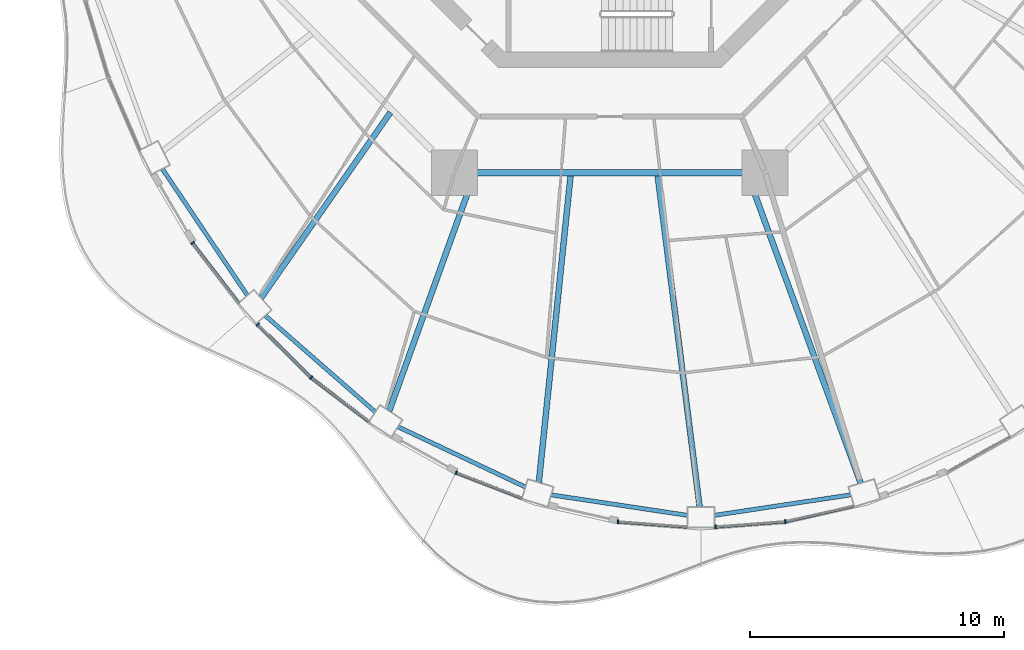
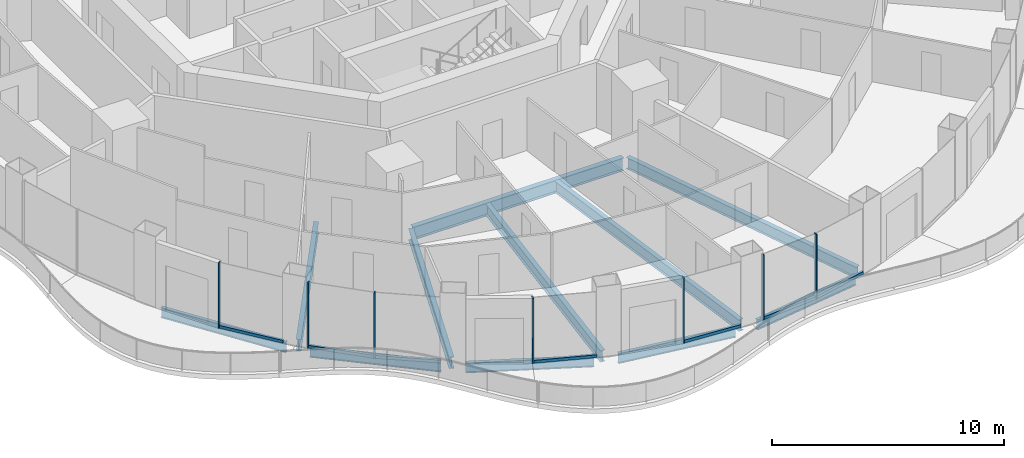
# One storey, part 2 of 19: 14 members, 11 beams, 7 elements without a shape of their own.
"""IFC4 building model written with IfcOpenShell, lengths in metres."""

from ifc_helpers import new_model, si_unit, direction, frame, origin, origin_2d, place, context, subcontext, project, spatial, rectangle, i_section, extrude, material, layer, layer_set, material_profile, profile_set, type_object, element, aggregate, save


model = new_model("IFC4")

# Units and contexts
model_context = context("Model", 3, precision=1e-05, world=origin(), true_north=direction((0.0, 1.0)))
body_context = subcontext(model_context, "Body", "Model", "MODEL_VIEW")
ifc_project = project(units=[si_unit("LENGTHUNIT", "METRE"), si_unit("AREAUNIT", "SQUARE_METRE"), si_unit("VOLUMEUNIT", "CUBIC_METRE"), si_unit("PLANEANGLEUNIT", "RADIAN"), si_unit("MASSUNIT", "GRAM", prefix="KILO")], contexts=[model_context])

# Site, building, storey
site_placement = place(None, origin())
site = spatial("IfcSite", under=ifc_project, at=site_placement, CompositionType="ELEMENT")
building_placement = place(site_placement, origin())
building = spatial("IfcBuilding", under=site, at=building_placement, Name="Nagisa Residences", CompositionType="ELEMENT")
storey_placement = place(building_placement, frame((0.0, 0.0, 191.800048828125)))
storey = spatial("IfcBuildingStorey", under=building, at=storey_placement, Name="L48", CompositionType="ELEMENT", Elevation=191.800048828125)

# Curtain wall, member
ifc_material_1 = material(Name="Concrete-coloured aluminium curtain wall system", Category="concrete")
ifc_layer = layer(ifc_material_1, 0.159912109375)
ifc_layer_set = layer_set([ifc_layer], Name="CW1 CURTAIN WALL")
curtain_wall_type = type_object("IfcCurtainWallType", Name="CW1 CURTAIN WALL", PredefinedType="NOTDEFINED", material=ifc_layer_set)
curtain_wall_1_placement = place(storey_placement, origin())
curtain_wall_1 = element("IfcCurtainWall", 1, at=curtain_wall_1_placement, inside=storey, type_object=curtain_wall_type, Name="cw:CW1:L48:29", PredefinedType="NOTDEFINED")
ifc_material_2 = material(Name="Concrete-coloured aluminium", Category="concrete")
ifc_material_profile_1 = material_profile(ifc_material_2, rectangle(XDim=0.159912109375, YDim=0.06005859375, at=origin_2d()), Name="CW1 MULLION 160x60")
ifc_profile_set_1 = profile_set([ifc_material_profile_1], Name="Concrete-coloured aluminium")
member_type_1 = type_object("IfcMemberType", Name="CW1 MULLION 160x60", PredefinedType="MULLION", material=ifc_profile_set_1)
member_1_placement = place(storey_placement, frame((-16.44970703125, -17.552978515625, 0.0), z_axis=(0.0, 0.0, 1.0), x_axis=(0.792070340816, 0.610429828235, 0.0)))
member_1 = element("IfcMember", 2, at=member_1_placement, type_object=member_type_1, Name="CW1 mullion", PredefinedType="MULLION", context=body_context, shape_type="SweptSolid", body=[
    extrude(rectangle(XDim=0.159912109375, YDim=0.06005859375, at=origin_2d()), origin(), (0.0, 0.0, 1.0), 3.43994140625),
])

curtain_wall_2_placement = place(storey_placement, origin())
curtain_wall_2 = element("IfcCurtainWall", 3, at=curtain_wall_2_placement, inside=storey, type_object=curtain_wall_type, Name="cw:CW1:L48:30", PredefinedType="NOTDEFINED")
member_2_placement = place(storey_placement, frame((-13.875732421875, -20.770751953125, 0.0), z_axis=(0.0, 0.0, 1.0), x_axis=(0.706376885714, 0.707835924016, 0.0)))
member_2 = element("IfcMember", 4, at=member_2_placement, type_object=member_type_1, Name="CW1 mullion", PredefinedType="MULLION", context=body_context, shape_type="SweptSolid", body=[
    extrude(rectangle(XDim=0.159912109375, YDim=0.06005859375, at=origin_2d()), origin(), (0.0, 0.0, 1.0), 3.43994140625),
])

curtain_wall_3_placement = place(storey_placement, origin())
curtain_wall_3 = element("IfcCurtainWall", 5, at=curtain_wall_3_placement, inside=storey, type_object=curtain_wall_type, Name="cw:CW1:L48:31", PredefinedType="NOTDEFINED")
member_3_placement = place(storey_placement, frame((-11.77490234375, -22.862548828125, 0.0), z_axis=(0.0, 0.0, 1.0), x_axis=(0.605255421737, 0.79603132756, 0.0)))
member_3 = element("IfcMember", 6, at=member_3_placement, type_object=member_type_1, Name="CW1 mullion", PredefinedType="MULLION", context=body_context, shape_type="SweptSolid", body=[
    extrude(rectangle(XDim=0.159912109375, YDim=0.06005859375, at=origin_2d()), origin(), (0.0, 0.0, 1.0), 3.43994140625),
])

curtain_wall_4_placement = place(storey_placement, origin())
curtain_wall_4 = element("IfcCurtainWall", 7, at=curtain_wall_4_placement, inside=storey, type_object=curtain_wall_type, Name="cw:CW1:L48:33", PredefinedType="NOTDEFINED")
member_4_placement = place(storey_placement, frame((-6.0537109375, -26.61328125, 0.0), z_axis=(0.0, 0.0, 1.0), x_axis=(0.360327770268, 0.932825759707, 0.0)))
member_4 = element("IfcMember", 8, at=member_4_placement, type_object=member_type_1, Name="CW1 mullion", PredefinedType="MULLION", context=body_context, shape_type="SweptSolid", body=[
    extrude(rectangle(XDim=0.159912109375, YDim=0.06005859375, at=origin_2d()), origin(), (0.0, 0.0, 1.0), 3.43994140625),
])

curtain_wall_5_placement = place(storey_placement, origin())
curtain_wall_5 = element("IfcCurtainWall", 9, at=curtain_wall_5_placement, inside=storey, type_object=curtain_wall_type, Name="cw:CW1:L48:35", PredefinedType="NOTDEFINED")
member_5_placement = place(storey_placement, frame((0.32373046875, -28.550537109375, 0.0), z_axis=(0.0, 0.0, 1.0), x_axis=(0.074377355493, 0.997230168512, 0.0)))
member_5 = element("IfcMember", 10, at=member_5_placement, type_object=member_type_1, Name="CW1 mullion", PredefinedType="MULLION", context=body_context, shape_type="SweptSolid", body=[
    extrude(rectangle(XDim=0.159912109375, YDim=0.06005859375, at=origin_2d()), origin(), (0.0, 0.0, 1.0), 3.43994140625),
])

curtain_wall_6_placement = place(storey_placement, origin())
curtain_wall_6 = element("IfcCurtainWall", 11, at=curtain_wall_6_placement, inside=storey, type_object=curtain_wall_type, Name="cw:CW1:L48:36", PredefinedType="NOTDEFINED")
member_6_placement = place(storey_placement, frame((4.17236328125, -28.752197265625, 0.0), z_axis=(0.0, 0.0, 1.0), x_axis=(-0.074377355493, 0.997230168512, 0.0)))
member_6 = element("IfcMember", 12, at=member_6_placement, type_object=member_type_1, Name="CW1 mullion", PredefinedType="MULLION", context=body_context, shape_type="SweptSolid", body=[
    extrude(rectangle(XDim=0.159912109375, YDim=0.06005859375, at=origin_2d()), origin(), (0.0, 0.0, 1.0), 3.43994140625),
])

curtain_wall_7_placement = place(storey_placement, origin())
curtain_wall_7 = element("IfcCurtainWall", 13, at=curtain_wall_7_placement, inside=storey, type_object=curtain_wall_type, Name="cw:CW1:L48:37", PredefinedType="NOTDEFINED")
member_7_placement = place(storey_placement, frame((6.923583984375, -28.543212890625, 0.0), z_axis=(0.0, 0.0, 1.0), x_axis=(-0.2207639201, 0.975327274089, 0.0)))
member_7 = element("IfcMember", 14, at=member_7_placement, type_object=member_type_1, Name="CW1 mullion", PredefinedType="MULLION", context=body_context, shape_type="SweptSolid", body=[
    extrude(rectangle(XDim=0.159912109375, YDim=0.06005859375, at=origin_2d()), origin(), (0.0, 0.0, 1.0), 3.43994140625),
])

# Member
ifc_material_3 = material(Name="Concrete-coloured aluminium", Category="concrete")
ifc_material_profile_2 = material_profile(ifc_material_3, rectangle(XDim=0.1201171875, YDim=0.14990234375, at=origin_2d()), Name="CW1 TRANSOM 120x150")
ifc_profile_set_2 = profile_set([ifc_material_profile_2], Name="Concrete-coloured aluminium")
member_type_2 = type_object("IfcMemberType", Name="CW1 TRANSOM 120x150", PredefinedType="USERDEFINED", material=ifc_profile_set_2)
member_8_placement = place(storey_placement, frame((-16.468017578125, -17.529052734375, 0.074951171875), z_axis=(0.610398538814, -0.792094453846, 0.0), x_axis=(0.792094453846, 0.610398538814, 0.0)))
member_8 = element("IfcMember", 15, at=member_8_placement, type_object=member_type_2, Name="CW1 transom", ObjectType="TRANSOM", PredefinedType="USERDEFINED", context=body_context, shape_type="SweptSolid", body=[
    extrude(rectangle(XDim=0.1201171875, YDim=0.14990234375, at=origin_2d()), origin(), (0.0, 0.0, 1.0), 3.035400390625),
])

aggregate(curtain_wall_1, [member_1, member_8])

member_9_placement = place(storey_placement, frame((-13.89697265625, -20.74951171875, 0.074951171875), z_axis=(0.707803821372, -0.706409053206, 0.0), x_axis=(0.706409053206, 0.707803821372, 0.0)))
member_9 = element("IfcMember", 16, at=member_9_placement, type_object=member_type_2, Name="CW1 transom", ObjectType="TRANSOM", PredefinedType="USERDEFINED", context=body_context, shape_type="SweptSolid", body=[
    extrude(rectangle(XDim=0.1201171875, YDim=0.14990234375, at=origin_2d()), origin(), (0.0, 0.0, 1.0), 2.9755859375),
])

aggregate(curtain_wall_2, [member_2, member_9])

member_10_placement = place(storey_placement, frame((-11.798828125, -22.844482421875, 0.074951171875), z_axis=(0.796055733703, -0.60522332146, 0.0), x_axis=(0.60522332146, 0.796055733703, 0.0)))
member_10 = element("IfcMember", 17, at=member_10_placement, type_object=member_type_2, Name="CW1 transom", ObjectType="TRANSOM", PredefinedType="USERDEFINED", context=body_context, shape_type="SweptSolid", body=[
    extrude(rectangle(XDim=0.1201171875, YDim=0.14990234375, at=origin_2d()), origin(), (0.0, 0.0, 1.0), 2.9169921875),
])

aggregate(curtain_wall_3, [member_3, member_10])

member_11_placement = place(storey_placement, frame((-6.081787109375, -26.602294921875, 0.074951171875), z_axis=(0.932806734513, -0.360377019311, 0.0), x_axis=(0.360377019311, 0.932806734513, 0.0)))
member_11 = element("IfcMember", 18, at=member_11_placement, type_object=member_type_2, Name="CW1 transom", ObjectType="TRANSOM", PredefinedType="USERDEFINED", context=body_context, shape_type="SweptSolid", body=[
    extrude(rectangle(XDim=0.1201171875, YDim=0.14990234375, at=origin_2d()), origin(), (0.0, 0.0, 1.0), 2.819580078125),
])

aggregate(curtain_wall_4, [member_4, member_11])

member_12_placement = place(storey_placement, frame((0.2939453125, -28.548095703125, 0.074951171875), z_axis=(0.99722504052, -0.074446078208, 0.0), x_axis=(0.074446078208, 0.99722504052, 0.0)))
member_12 = element("IfcMember", 19, at=member_12_placement, type_object=member_type_2, Name="CW1 transom", ObjectType="TRANSOM", PredefinedType="USERDEFINED", context=body_context, shape_type="SweptSolid", body=[
    extrude(rectangle(XDim=0.1201171875, YDim=0.14990234375, at=origin_2d()), origin(), (0.0, 0.0, 1.0), 2.77099609375),
])

aggregate(curtain_wall_5, [member_5, member_12])

member_13_placement = place(storey_placement, frame((4.142578125, -28.75439453125, 0.074951171875), z_axis=(0.997225528735, 0.074439538143, 0.0), x_axis=(-0.074439538143, 0.997225528735, 0.0)))
member_13 = element("IfcMember", 20, at=member_13_placement, type_object=member_type_2, Name="CW1 transom", ObjectType="TRANSOM", PredefinedType="USERDEFINED", context=body_context, shape_type="SweptSolid", body=[
    extrude(rectangle(XDim=0.1201171875, YDim=0.14990234375, at=origin_2d()), origin(), (0.0, 0.0, 1.0), 2.771240234375),
])

aggregate(curtain_wall_6, [member_6, member_13])

member_14_placement = place(storey_placement, frame((6.89453125, -28.550048828125, 0.074951171875), z_axis=(0.975324329911, 0.220776926974, 0.0), x_axis=(-0.220776926974, 0.975324329911, 0.0)))
member_14 = element("IfcMember", 21, at=member_14_placement, type_object=member_type_2, Name="CW1 transom", ObjectType="TRANSOM", PredefinedType="USERDEFINED", context=body_context, shape_type="SweptSolid", body=[
    extrude(rectangle(XDim=0.1201171875, YDim=0.14990234375, at=origin_2d()), origin(), (0.0, 0.0, 1.0), 2.787841796875),
])

aggregate(curtain_wall_7, [member_7, member_14])

# Beams
ifc_material_4 = material(Name="Steel ASTM A572 Gr 50", Category="steel")
ifc_material_profile_3 = material_profile(ifc_material_4, i_section(OverallWidth=0.25390625, OverallDepth=0.68408203125, WebThickness=0.012451171875, FlangeThickness=0.018798828125, at=origin_2d()), Name="W690x140")
ifc_profile_set_3 = profile_set([ifc_material_profile_3], Name="Steel ASTM A572 Gr 50")
beam_type_1 = type_object("IfcBeamType", Name="Inner ring beam W690x140", PredefinedType="BEAM", material=ifc_profile_set_3)
beam_1_placement = place(storey_placement, frame((-5.242919921875, -14.781982421875, -0.60205078125), z_axis=(1.0, 0.0, 0.0), x_axis=(0.0, 1.0, 0.0)))
element("IfcBeam", 22, at=beam_1_placement, inside=storey, type_object=beam_type_1, Name="beam:L48:ib6", PredefinedType="BEAM", context=body_context, shape_type="SweptSolid", body=[
    extrude(i_section(OverallWidth=0.25390625, OverallDepth=0.68408203125, WebThickness=0.012451171875, FlangeThickness=0.018798828125, at=origin_2d()), origin(), (0.0, 0.0, 1.0), 10.48583984375),
])
ifc_material_5 = material(Name="Steel ASTM A572 Gr 50", Category="steel")
ifc_material_profile_4 = material_profile(ifc_material_5, i_section(OverallWidth=0.166015625, OverallDepth=0.534912109375, WebThickness=0.01025390625, FlangeThickness=0.0166015625, at=origin_2d()), Name="W530x85")
ifc_profile_set_4 = profile_set([ifc_material_profile_4], Name="Steel ASTM A572 Gr 50")
beam_type_2 = type_object("IfcBeamType", Name="Perimeter ring beam W530x85", PredefinedType="BEAM", material=ifc_profile_set_4)
beam_2_placement = place(storey_placement, frame((-17.644287109375, -14.630615234375, -0.527587890625), z_axis=(0.558152301307, -0.829738518177, 0.0), x_axis=(0.829738518177, 0.558152301307, 0.0)))
element("IfcBeam", 23, at=beam_2_placement, inside=storey, type_object=beam_type_2, Name="beam:L48:pb15", PredefinedType="BEAM", context=body_context, shape_type="SweptSolid", body=[
    extrude(i_section(OverallWidth=0.166015625, OverallDepth=0.534912109375, WebThickness=0.01025390625, FlangeThickness=0.0166015625, at=origin_2d()), origin(), (0.0, 0.0, 1.0), 6.013916015625),
])
beam_3_placement = place(storey_placement, frame((-13.5869140625, -20.416259765625, -0.527587890625), z_axis=(0.752461486776, -0.658636250838, 0.0), x_axis=(0.658636250838, 0.752461486776, 0.0)))
element("IfcBeam", 24, at=beam_3_placement, inside=storey, type_object=beam_type_2, Name="beam:L48:pb16", PredefinedType="BEAM", context=body_context, shape_type="SweptSolid", body=[
    extrude(i_section(OverallWidth=0.166015625, OverallDepth=0.534912109375, WebThickness=0.01025390625, FlangeThickness=0.0166015625, at=origin_2d()), origin(), (0.0, 0.0, 1.0), 5.776611328125),
])
beam_4_placement = place(storey_placement, frame((-8.353515625, -24.80224609375, -0.527587890625), z_axis=(0.904157325884, -0.427199637232, 0.0), x_axis=(0.427199637232, 0.904157325884, 0.0)))
element("IfcBeam", 25, at=beam_4_placement, inside=storey, type_object=beam_type_2, Name="beam:L48:pb17", PredefinedType="BEAM", context=body_context, shape_type="SweptSolid", body=[
    extrude(i_section(OverallWidth=0.166015625, OverallDepth=0.534912109375, WebThickness=0.01025390625, FlangeThickness=0.0166015625, at=origin_2d()), origin(), (0.0, 0.0, 1.0), 5.56396484375),
])
for number, where, z_axis, x_axis, name in (
    (26, (-2.30810546875, -27.48779296875, -0.527587890625), (0.988911312658, -0.148507291732, 0.0), (0.148507291732, 0.988911312658, 0.0), "beam:L48:pb18"),
    (27, (4.130126953125, -28.29541015625, -0.527587890625), (0.988911312658, 0.148507291732, 0.0), (-0.148507291732, 0.988911312658, 0.0), "beam:L48:pb19"),
):
    element("IfcBeam", number, at=place(storey_placement, frame(where, z_axis=z_axis, x_axis=x_axis)), inside=storey, type_object=beam_type_2, Name=name, PredefinedType="BEAM", context=body_context, shape_type="SweptSolid", body=[
        extrude(i_section(OverallWidth=0.166015625, OverallDepth=0.534912109375, WebThickness=0.01025390625, FlangeThickness=0.0166015625, at=origin_2d()), origin(), (0.0, 0.0, 1.0), 5.438232421875),
    ])
ifc_material_6 = material(Name="Steel ASTM A572 Gr 50", Category="steel")
ifc_material_profile_5 = material_profile(ifc_material_6, i_section(OverallWidth=0.22802734375, OverallDepth=0.60302734375, WebThickness=0.010498046875, FlangeThickness=0.014892578125, at=origin_2d()), Name="W610x101")
ifc_profile_set_5 = profile_set([ifc_material_profile_5], Name="Steel ASTM A572 Gr 50")
beam_type_3 = type_object("IfcBeamType", Name="Radial beam W610x101", PredefinedType="BEAM", material=ifc_profile_set_5)
beam_5_placement = place(storey_placement, frame((-13.75048828125, -19.7216796875, -0.5615234375), z_axis=(0.571934479253, 0.82029930601, 0.0), x_axis=(-0.82029930601, 0.571934479253, 0.0)))
element("IfcBeam", 28, at=beam_5_placement, inside=storey, type_object=beam_type_3, Name="beam:L48:rb16", PredefinedType="BEAM", context=body_context, shape_type="SweptSolid", body=[
    extrude(i_section(OverallWidth=0.22802734375, OverallDepth=0.60302734375, WebThickness=0.010498046875, FlangeThickness=0.014892578125, at=origin_2d()), origin(), (0.0, 0.0, 1.0), 8.917724609375),
])
beam_6_placement = place(storey_placement, frame((-8.6962890625, -24.180908203125, -0.5615234375), z_axis=(0.338417364879, 0.940996114311, 0.0), x_axis=(-0.940996114311, 0.338417364879, 0.0)))
element("IfcBeam", 29, at=beam_6_placement, inside=storey, type_object=beam_type_3, Name="beam:L48:rb17", PredefinedType="BEAM", context=body_context, shape_type="SweptSolid", body=[
    extrude(i_section(OverallWidth=0.22802734375, OverallDepth=0.60302734375, WebThickness=0.010498046875, FlangeThickness=0.014892578125, at=origin_2d()), origin(), (0.0, 0.0, 1.0), 9.873291015625),
])
beam_7_placement = place(storey_placement, frame((-2.795654296875, -26.997314453125, -0.5615234375), z_axis=(0.103007948723, 0.994680532885, 0.0), x_axis=(-0.994680532885, 0.103007948723, 0.0)))
element("IfcBeam", 30, at=beam_7_placement, inside=storey, type_object=beam_type_3, Name="beam:L48:rb18", PredefinedType="BEAM", context=body_context, shape_type="SweptSolid", body=[
    extrude(i_section(OverallWidth=0.22802734375, OverallDepth=0.60302734375, WebThickness=0.010498046875, FlangeThickness=0.014892578125, at=origin_2d()), origin(), (0.0, 0.0, 1.0), 12.1728515625),
])
beam_8_placement = place(storey_placement, frame((3.548583984375, -27.9697265625, -0.5615234375), z_axis=(-0.125871302495, 0.992046579153, 0.0), x_axis=(-0.992046579153, -0.125871302495, 0.0)))
element("IfcBeam", 31, at=beam_8_placement, inside=storey, type_object=beam_type_3, Name="beam:L48:rb19", PredefinedType="BEAM", context=body_context, shape_type="SweptSolid", body=[
    extrude(i_section(OverallWidth=0.22802734375, OverallDepth=0.60302734375, WebThickness=0.010498046875, FlangeThickness=0.014892578125, at=origin_2d()), origin(), (0.0, 0.0, 1.0), 13.185546875),
])
beam_9_placement = place(storey_placement, frame((9.898681640625, -27.02734375, -0.5615234375), z_axis=(-0.343903309659, 0.939005065804, 0.0), x_axis=(-0.939005065804, -0.343903309659, 0.0)))
element("IfcBeam", 32, at=beam_9_placement, inside=storey, type_object=beam_type_3, Name="beam:L48:rb20", PredefinedType="BEAM", context=body_context, shape_type="SweptSolid", body=[
    extrude(i_section(OverallWidth=0.22802734375, OverallDepth=0.60302734375, WebThickness=0.010498046875, FlangeThickness=0.014892578125, at=origin_2d()), origin(), (0.0, 0.0, 1.0), 12.92529296875),
])

save(model, "model.ifc")
